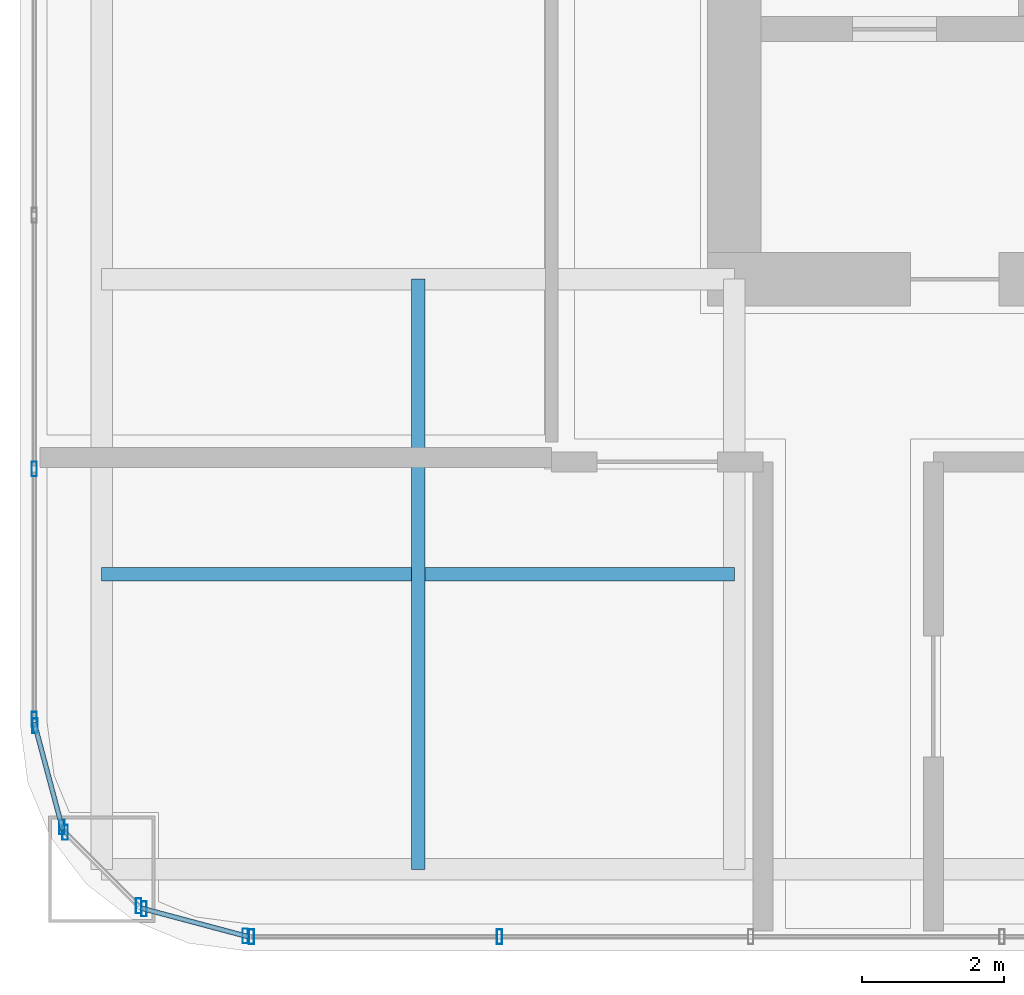
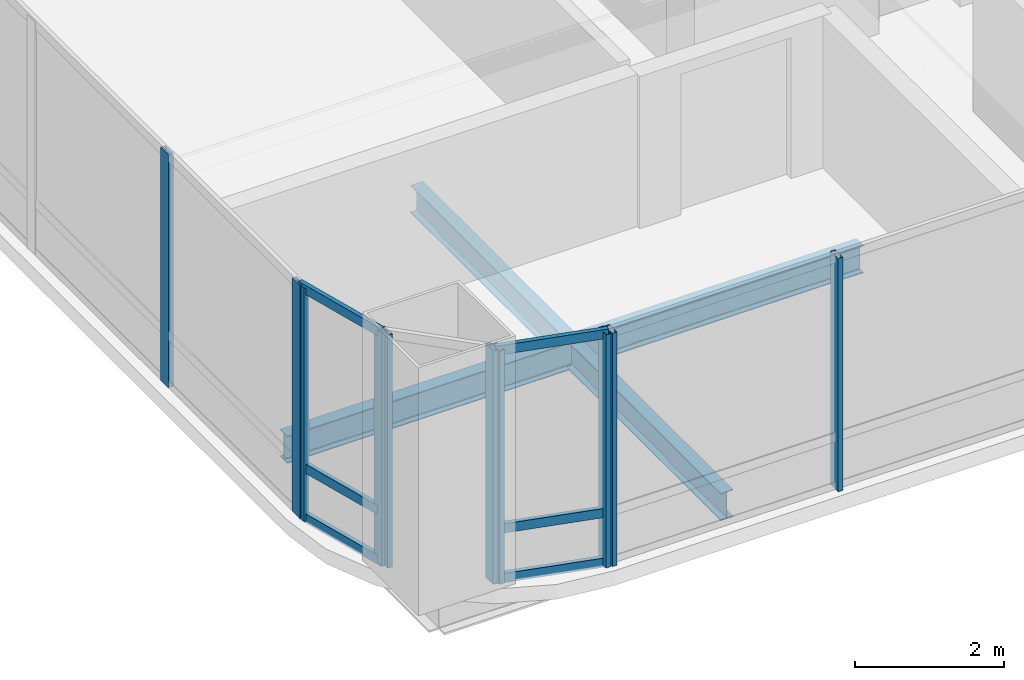
# One storey, part 2 of 34: 16 members, 2 beams, 5 elements without a shape of their own.
"""IFC4 building model written with IfcOpenShell, lengths in metres."""

from ifc_helpers import new_model, si_unit, direction, frame, origin, origin_2d, place, context, subcontext, project, spatial, hollow_rectangle, i_section, extrude, material, material_profile, profile_set, type_object, element, aggregate, save


model = new_model("IFC4")

# Units and contexts
model_context = context("Model", 3, precision=1e-05, world=origin(), true_north=direction((0.0, 1.0)))
body_context = subcontext(model_context, "Body", "Model", "MODEL_VIEW")
ifc_project = project(units=[si_unit("LENGTHUNIT", "METRE"), si_unit("AREAUNIT", "SQUARE_METRE"), si_unit("VOLUMEUNIT", "CUBIC_METRE"), si_unit("PLANEANGLEUNIT", "RADIAN"), si_unit("MASSUNIT", "GRAM", prefix="KILO")], contexts=[model_context])

# Site, building, storey
site_placement = place(None, origin())
site = spatial("IfcSite", under=ifc_project, at=site_placement, CompositionType="ELEMENT")
building_placement = place(site_placement, origin())
building = spatial("IfcBuilding", under=site, at=building_placement, Name="Punatoya Terracotta Tower", CompositionType="ELEMENT")
storey_placement = place(building_placement, frame((0.0, 0.0, 105.14990234375)))
storey = spatial("IfcBuildingStorey", under=building, at=storey_placement, Name="L24", CompositionType="ELEMENT", Elevation=105.14990234375)

# Beams
ifc_material_1 = material(Name="Steel S355", Category="steel")
ifc_material_profile_1 = material_profile(ifc_material_1, i_section(OverallWidth=0.18994140625, OverallDepth=0.449951171875, WebThickness=0.009521484375, FlangeThickness=0.0146484375, FilletRadius=0.01806640625, at=origin_2d()))
ifc_profile_set_1 = profile_set([ifc_material_profile_1], Name="Steel S355")
beam_type = type_object("IfcBeamType", Name="BM-SEC-450", PredefinedType="JOIST", material=ifc_profile_set_1)
beam_1_placement = place(storey_placement, frame((-19.10009765625, -13.35009765625, -0.46484375), z_axis=(1.0, 0.0, 0.0), x_axis=(0.0, 1.0, 0.0)))
element("IfcBeam", 1, at=beam_1_placement, inside=storey, type_object=beam_type, Name="BM-L24-SJS-1", PredefinedType="JOIST", context=body_context, shape_type="SweptSolid", body=[
    extrude(i_section(OverallWidth=0.18994140625, OverallDepth=0.449951171875, WebThickness=0.009521484375, FlangeThickness=0.0146484375, FilletRadius=0.01806640625, at=origin_2d()), origin(), (0.0, 0.0, 1.0), 8.900146484375),
])
beam_2_placement = place(storey_placement, frame((-14.64990234375, -17.5, -0.46484375), z_axis=(0.0, 1.0, 0.0), x_axis=(-1.0, 0.0, 0.0)))
element("IfcBeam", 2, at=beam_2_placement, inside=storey, type_object=beam_type, Name="BM-L24-SJW-1", PredefinedType="JOIST", context=body_context, shape_type="SweptSolid", body=[
    extrude(i_section(OverallWidth=0.18994140625, OverallDepth=0.449951171875, WebThickness=0.009521484375, FlangeThickness=0.0146484375, FilletRadius=0.01806640625, at=origin_2d()), origin(), (0.0, 0.0, 1.0), 8.300048828125),
])

# Curtain wall, members
ifc_material_2 = material(Name="Aluminium 6063-T6 + Double Low-E Glass", Category="aluminium")
curtain_wall_type = type_object("IfcCurtainWallType", Name="CW-M1", PredefinedType="NOTDEFINED", material=ifc_material_2)
curtain_wall_1_placement = place(storey_placement, origin())
curtain_wall_1 = element("IfcCurtainWall", 3, at=curtain_wall_1_placement, inside=storey, type_object=curtain_wall_type, Name="L24 Curtain Wall CW-L24-S01-1", PredefinedType="NOTDEFINED")
ifc_material_3 = material(Name="Aluminium 6063-T6", Category="aluminium")
ifc_material_profile_2 = material_profile(ifc_material_3, hollow_rectangle(XDim=0.074951171875, YDim=0.2099609375, WallThickness=0.00439453125, at=origin_2d()))
ifc_profile_set_2 = profile_set([ifc_material_profile_2], Name="Aluminium 6063-T6")
member_type_1 = type_object("IfcMemberType", Name="CW-MUL-M1", PredefinedType="MULLION", material=ifc_profile_set_2)
member_1_placement = place(storey_placement, frame((-16.991943359375, -18.449951171875, 0.0), z_axis=(0.0, 0.0, 1.0), x_axis=(1.0, 0.0, 0.0)))
member_1 = element("IfcMember", 4, at=member_1_placement, type_object=member_type_1, Name="CW-L24-S01-1 Mullion 00", PredefinedType="MULLION", context=body_context, shape_type="SweptSolid", body=[
    extrude(hollow_rectangle(XDim=0.074951171875, YDim=0.2099609375, WallThickness=0.00439453125, at=origin_2d()), origin(), (0.0, 0.0, 1.0), 3.81005859375),
])
member_2_placement = place(storey_placement, frame((-13.5029296875, -18.449951171875, 0.0), z_axis=(0.0, 0.0, 1.0), x_axis=(1.0, 0.0, 0.0)))
member_2 = element("IfcMember", 5, at=member_2_placement, type_object=member_type_1, Name="CW-L24-S01-1 Mullion 01", PredefinedType="MULLION", context=body_context, shape_type="SweptSolid", body=[
    extrude(hollow_rectangle(XDim=0.074951171875, YDim=0.2099609375, WallThickness=0.00439453125, at=origin_2d()), origin(), (0.0, 0.0, 1.0), 3.81005859375),
])
aggregate(curtain_wall_1, [member_1, member_2])

curtain_wall_2_placement = place(storey_placement, origin())
curtain_wall_2 = element("IfcCurtainWall", 6, at=curtain_wall_2_placement, inside=storey, type_object=curtain_wall_type, Name="L24 Curtain Wall CW-L24-W13-1", PredefinedType="NOTDEFINED")
member_3_placement = place(storey_placement, frame((-20.050048828125, -11.869384765625, 0.0), z_axis=(0.0, 0.0, 1.0), x_axis=(1.0, 0.0, 0.0)))
member_3 = element("IfcMember", 7, at=member_3_placement, type_object=member_type_1, Name="CW-L24-W13-1 Mullion 09", PredefinedType="MULLION", context=body_context, shape_type="SweptSolid", body=[
    extrude(hollow_rectangle(XDim=0.074951171875, YDim=0.2099609375, WallThickness=0.00439453125, at=origin_2d()), origin(), (0.0, 0.0, 1.0), 3.81005859375),
])
member_4_placement = place(storey_placement, frame((-20.050048828125, -15.391845703125, 0.0), z_axis=(0.0, 0.0, 1.0), x_axis=(1.0, 0.0, 0.0)))
member_4 = element("IfcMember", 8, at=member_4_placement, type_object=member_type_1, Name="CW-L24-W13-1 Mullion 10", PredefinedType="MULLION", context=body_context, shape_type="SweptSolid", body=[
    extrude(hollow_rectangle(XDim=0.074951171875, YDim=0.2099609375, WallThickness=0.00439453125, at=origin_2d()), origin(), (0.0, 0.0, 1.0), 3.81005859375),
])
aggregate(curtain_wall_2, [member_3, member_4])

curtain_wall_3_placement = place(storey_placement, origin())
curtain_wall_3 = element("IfcCurtainWall", 9, at=curtain_wall_3_placement, inside=storey, type_object=curtain_wall_type, Name="L24 Curtain Wall CW-L24-CRN14", PredefinedType="NOTDEFINED")
member_5_placement = place(storey_placement, frame((-20.038330078125, -15.48046875, 0.0), z_axis=(0.0, 0.0, 1.0), x_axis=(1.0, 0.0, 0.0)))
member_5 = element("IfcMember", 10, at=member_5_placement, type_object=member_type_1, Name="CW-L24-CRN14 Mullion 00", PredefinedType="MULLION", context=body_context, shape_type="SweptSolid", body=[
    extrude(hollow_rectangle(XDim=0.074951171875, YDim=0.2099609375, WallThickness=0.00439453125, at=origin_2d()), origin(), (0.0, 0.0, 1.0), 3.81005859375),
])
member_6_placement = place(storey_placement, frame((-19.658203125, -16.905517578125, 0.0), z_axis=(0.0, 0.0, 1.0), x_axis=(1.0, 0.0, 0.0)))
member_6 = element("IfcMember", 11, at=member_6_placement, type_object=member_type_1, Name="CW-L24-CRN14 Mullion 01", PredefinedType="MULLION", context=body_context, shape_type="SweptSolid", body=[
    extrude(hollow_rectangle(XDim=0.074951171875, YDim=0.2099609375, WallThickness=0.00439453125, at=origin_2d()), origin(), (0.0, 0.0, 1.0), 3.81005859375),
])

curtain_wall_4_placement = place(storey_placement, origin())
curtain_wall_4 = element("IfcCurtainWall", 12, at=curtain_wall_4_placement, inside=storey, type_object=curtain_wall_type, Name="L24 Curtain Wall CW-L24-CRN15", PredefinedType="NOTDEFINED")
member_7_placement = place(storey_placement, frame((-19.61474609375, -16.98095703125, 0.0), z_axis=(0.0, 0.0, 1.0), x_axis=(1.0, 0.0, 0.0)))
member_7 = element("IfcMember", 13, at=member_7_placement, type_object=member_type_1, Name="CW-L24-CRN15 Mullion 00", PredefinedType="MULLION", context=body_context, shape_type="SweptSolid", body=[
    extrude(hollow_rectangle(XDim=0.074951171875, YDim=0.2099609375, WallThickness=0.00439453125, at=origin_2d()), origin(), (0.0, 0.0, 1.0), 3.81005859375),
])
member_8_placement = place(storey_placement, frame((-18.580810546875, -18.014892578125, 0.0), z_axis=(0.0, 0.0, 1.0), x_axis=(1.0, 0.0, 0.0)))
member_8 = element("IfcMember", 14, at=member_8_placement, type_object=member_type_1, Name="CW-L24-CRN15 Mullion 01", PredefinedType="MULLION", context=body_context, shape_type="SweptSolid", body=[
    extrude(hollow_rectangle(XDim=0.074951171875, YDim=0.2099609375, WallThickness=0.00439453125, at=origin_2d()), origin(), (0.0, 0.0, 1.0), 3.81005859375),
])
aggregate(curtain_wall_4, [member_7, member_8])

curtain_wall_5_placement = place(storey_placement, origin())
curtain_wall_5 = element("IfcCurtainWall", 15, at=curtain_wall_5_placement, inside=storey, type_object=curtain_wall_type, Name="L24 Curtain Wall CW-L24-CRN16", PredefinedType="NOTDEFINED")
member_9_placement = place(storey_placement, frame((-18.505615234375, -18.05810546875, 0.0), z_axis=(0.0, 0.0, 1.0), x_axis=(1.0, 0.0, 0.0)))
member_9 = element("IfcMember", 16, at=member_9_placement, type_object=member_type_1, Name="CW-L24-CRN16 Mullion 00", PredefinedType="MULLION", context=body_context, shape_type="SweptSolid", body=[
    extrude(hollow_rectangle(XDim=0.074951171875, YDim=0.2099609375, WallThickness=0.00439453125, at=origin_2d()), origin(), (0.0, 0.0, 1.0), 3.81005859375),
])
member_10_placement = place(storey_placement, frame((-17.080322265625, -18.4384765625, 0.0), z_axis=(0.0, 0.0, 1.0), x_axis=(1.0, 0.0, 0.0)))
member_10 = element("IfcMember", 17, at=member_10_placement, type_object=member_type_1, Name="CW-L24-CRN16 Mullion 01", PredefinedType="MULLION", context=body_context, shape_type="SweptSolid", body=[
    extrude(hollow_rectangle(XDim=0.074951171875, YDim=0.2099609375, WallThickness=0.00439453125, at=origin_2d()), origin(), (0.0, 0.0, 1.0), 3.81005859375),
])

# Member
ifc_material_profile_3 = material_profile(ifc_material_3, hollow_rectangle(XDim=0.068115234375, YDim=0.14990234375, WallThickness=0.00390625, at=origin_2d()))
ifc_profile_set_3 = profile_set([ifc_material_profile_3], Name="Aluminium 6063-T6")
member_type_2 = type_object("IfcMemberType", Name="CW-TRN-TYP", PredefinedType="USERDEFINED", material=ifc_profile_set_3)
member_11_placement = place(storey_placement, frame((-20.050048828125, -15.43701171875, 0.0400390625), z_axis=(0.257847112249, -0.966185730957, 0.0), x_axis=(0.966185730957, 0.257847112249, 0.0)))
member_11 = element("IfcMember", 18, at=member_11_placement, type_object=member_type_2, Name="CW-L24-CRN14 Transom 1", ObjectType="TRANSOM", PredefinedType="USERDEFINED", context=body_context, shape_type="SweptSolid", body=[
    extrude(hollow_rectangle(XDim=0.068115234375, YDim=0.14990234375, WallThickness=0.00390625, at=origin_2d()), origin(), (0.0, 0.0, 1.0), 1.565185546875),
])

member_12_placement = place(storey_placement, frame((-20.050048828125, -15.43701171875, 0.85009765625), z_axis=(0.257847112249, -0.966185730957, 0.0), x_axis=(0.966185730957, 0.257847112249, 0.0)))
member_12 = element("IfcMember", 19, at=member_12_placement, type_object=member_type_2, Name="CW-L24-CRN14 Transom 2", ObjectType="TRANSOM", PredefinedType="USERDEFINED", context=body_context, shape_type="SweptSolid", body=[
    extrude(hollow_rectangle(XDim=0.068115234375, YDim=0.14990234375, WallThickness=0.00390625, at=origin_2d()), origin(), (0.0, 0.0, 1.0), 1.565185546875),
])

member_13_placement = place(storey_placement, frame((-20.050048828125, -15.43701171875, 3.77001953125), z_axis=(0.257847112249, -0.966185730957, 0.0), x_axis=(0.966185730957, 0.257847112249, 0.0)))
member_13 = element("IfcMember", 20, at=member_13_placement, type_object=member_type_2, Name="CW-L24-CRN14 Transom 3", ObjectType="TRANSOM", PredefinedType="USERDEFINED", context=body_context, shape_type="SweptSolid", body=[
    extrude(hollow_rectangle(XDim=0.068115234375, YDim=0.14990234375, WallThickness=0.00390625, at=origin_2d()), origin(), (0.0, 0.0, 1.0), 1.565185546875),
])

aggregate(curtain_wall_3, [member_5, member_6, member_11, member_12, member_13])

member_14_placement = place(storey_placement, frame((-18.549072265625, -18.046630859375, 0.0400390625), z_axis=(0.966224582397, -0.257701486942, 0.0), x_axis=(0.257701486942, 0.966224582397, 0.0)))
member_14 = element("IfcMember", 21, at=member_14_placement, type_object=member_type_2, Name="CW-L24-CRN16 Transom 1", ObjectType="TRANSOM", PredefinedType="USERDEFINED", context=body_context, shape_type="SweptSolid", body=[
    extrude(hollow_rectangle(XDim=0.068115234375, YDim=0.14990234375, WallThickness=0.00390625, at=origin_2d()), origin(), (0.0, 0.0, 1.0), 1.565185546875),
])

member_15_placement = place(storey_placement, frame((-18.549072265625, -18.046630859375, 0.85009765625), z_axis=(0.966224582397, -0.257701486942, 0.0), x_axis=(0.257701486942, 0.966224582397, 0.0)))
member_15 = element("IfcMember", 22, at=member_15_placement, type_object=member_type_2, Name="CW-L24-CRN16 Transom 2", ObjectType="TRANSOM", PredefinedType="USERDEFINED", context=body_context, shape_type="SweptSolid", body=[
    extrude(hollow_rectangle(XDim=0.068115234375, YDim=0.14990234375, WallThickness=0.00390625, at=origin_2d()), origin(), (0.0, 0.0, 1.0), 1.565185546875),
])

member_16_placement = place(storey_placement, frame((-18.549072265625, -18.046630859375, 3.77001953125), z_axis=(0.966224582397, -0.257701486942, 0.0), x_axis=(0.257701486942, 0.966224582397, 0.0)))
member_16 = element("IfcMember", 23, at=member_16_placement, type_object=member_type_2, Name="CW-L24-CRN16 Transom 3", ObjectType="TRANSOM", PredefinedType="USERDEFINED", context=body_context, shape_type="SweptSolid", body=[
    extrude(hollow_rectangle(XDim=0.068115234375, YDim=0.14990234375, WallThickness=0.00390625, at=origin_2d()), origin(), (0.0, 0.0, 1.0), 1.565185546875),
])

aggregate(curtain_wall_5, [member_9, member_10, member_14, member_15, member_16])

save(model, "model.ifc")
